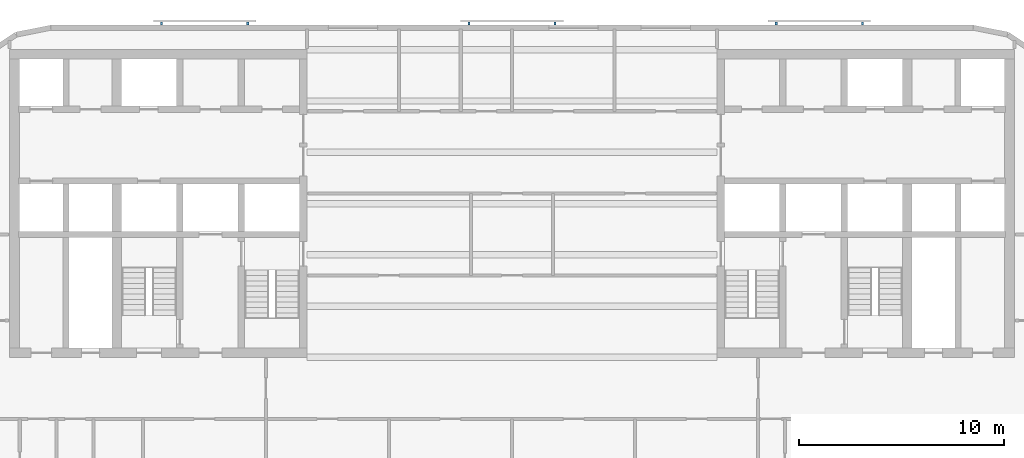
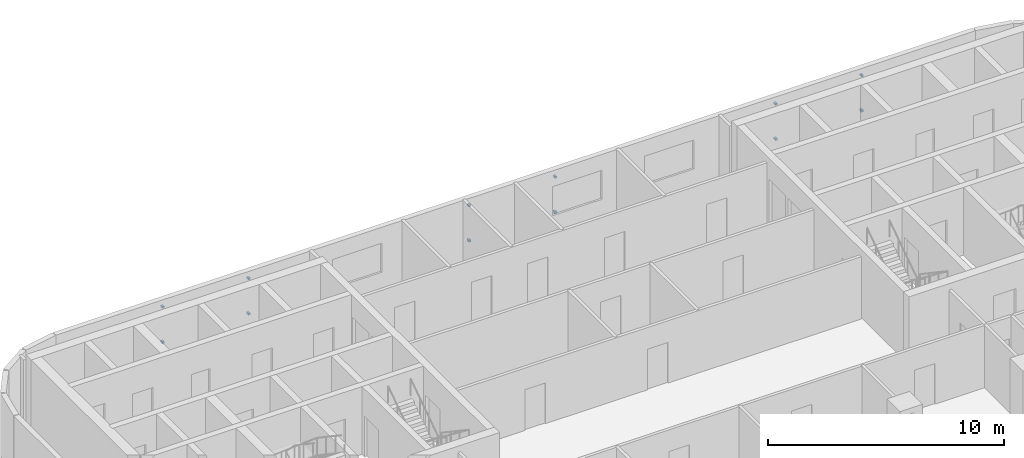
# One storey, part 8 of 11: 12 discrete accessories.
"""IFC4 building model written with IfcOpenShell, lengths in metres."""

from ifc_helpers import new_model, si_unit, direction, frame, origin, origin_2d, place, context, subcontext, project, spatial, rectangle, extrude, material, type_object, element, save


model = new_model("IFC4")

# Units and contexts
model_context = context("Model", 3, precision=1e-05, world=origin(), true_north=direction((0.0, 1.0)))
body_context = subcontext(model_context, "Body", "Model", "MODEL_VIEW")
ifc_project = project(units=[si_unit("LENGTHUNIT", "METRE"), si_unit("AREAUNIT", "SQUARE_METRE"), si_unit("VOLUMEUNIT", "CUBIC_METRE"), si_unit("PLANEANGLEUNIT", "RADIAN"), si_unit("MASSUNIT", "GRAM", prefix="KILO")], contexts=[model_context])

# Site, building, storey
site_placement = place(None, origin())
site = spatial("IfcSite", under=ifc_project, at=site_placement, CompositionType="ELEMENT")
building_placement = place(site_placement, origin())
building = spatial("IfcBuilding", under=site, at=building_placement, Name="Torana Hotel and Residences", CompositionType="ELEMENT")
storey_placement = place(building_placement, frame((0.0, 0.0, 194.10009765625)))
storey = spatial("IfcBuildingStorey", under=building, at=storey_placement, Name="L50", CompositionType="ELEMENT", Elevation=194.10009765625)

# Discrete accessories
ifc_material = material(Name="Steel S355", Category="steel")
discrete_accessory_type = type_object("IfcDiscreteAccessoryType", Name="SCREEN BRACKET 100", PredefinedType="BRACKET", material=ifc_material)
for number, where, z_axis, x_axis, name in (
    (1, (17.08349609375, 1.27490234375, 0.749755859375), (0.0, 0.0, 1.0), (-1.0, 0.0, 0.0), "Screen bracket L50"),
    (2, (17.08349609375, 1.27490234375, 2.56982421875), (0.0, 0.0, 1.0), (-1.0, 0.0, 0.0), "Screen bracket L50"),
    (3, (12.883544921875, 1.27490234375, 0.749755859375), (0.0, 0.0, 1.0), (-1.0, 0.0, 0.0), "Screen bracket L50"),
    (4, (12.883544921875, 1.27490234375, 2.56982421875), (0.0, 0.0, 1.0), (-1.0, 0.0, 0.0), "Screen bracket L50"),
    (5, (2.10009765625, 1.27490234375, 0.749755859375), (0.0, 0.0, 1.0), (-1.0, 0.0, 0.0), "Screen bracket L50"),
    (6, (2.10009765625, 1.27490234375, 2.56982421875), (0.0, 0.0, 1.0), (-1.0, 0.0, 0.0), "Screen bracket L50"),
    (7, (-2.10009765625, 1.27490234375, 0.749755859375), (0.0, 0.0, 1.0), (-1.0, 0.0, 0.0), "Screen bracket L50"),
    (8, (-2.10009765625, 1.27490234375, 2.56982421875), (0.0, 0.0, 1.0), (-1.0, 0.0, 0.0), "Screen bracket L50"),
    (9, (-12.883544921875, 1.27490234375, 0.749755859375), (0.0, 0.0, 1.0), (-1.0, 0.0, 0.0), "Screen bracket L50"),
    (10, (-12.883544921875, 1.27490234375, 2.56982421875), (0.0, 0.0, 1.0), (-1.0, 0.0, 0.0), "Screen bracket L50"),
    (11, (-17.08349609375, 1.27490234375, 0.749755859375), (0.0, 0.0, 1.0), (-1.0, 0.0, 0.0), "Screen bracket L50"),
    (12, (-17.08349609375, 1.27490234375, 2.56982421875), (0.0, 0.0, 1.0), (-1.0, 0.0, 0.0), "Screen bracket L50"),
):
    element("IfcDiscreteAccessory", number, at=place(storey_placement, frame(where, z_axis=z_axis, x_axis=x_axis)), inside=storey, type_object=discrete_accessory_type, Name=name, PredefinedType="BRACKET", context=body_context, shape_type="SweptSolid", body=[
        extrude(rectangle(XDim=0.10009765625, YDim=0.14990234375, at=origin_2d()), origin(), (0.0, 0.0, 1.0), 0.10009765625),
    ])

save(model, "model.ifc")
